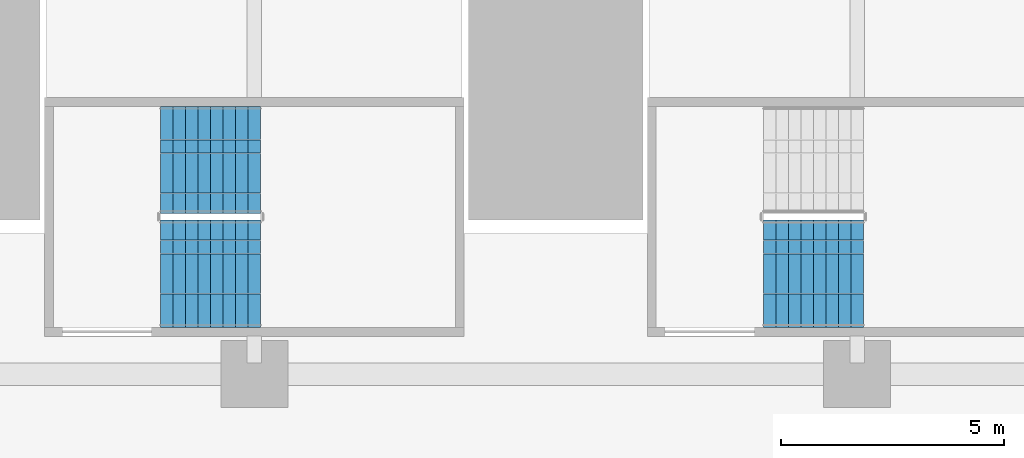
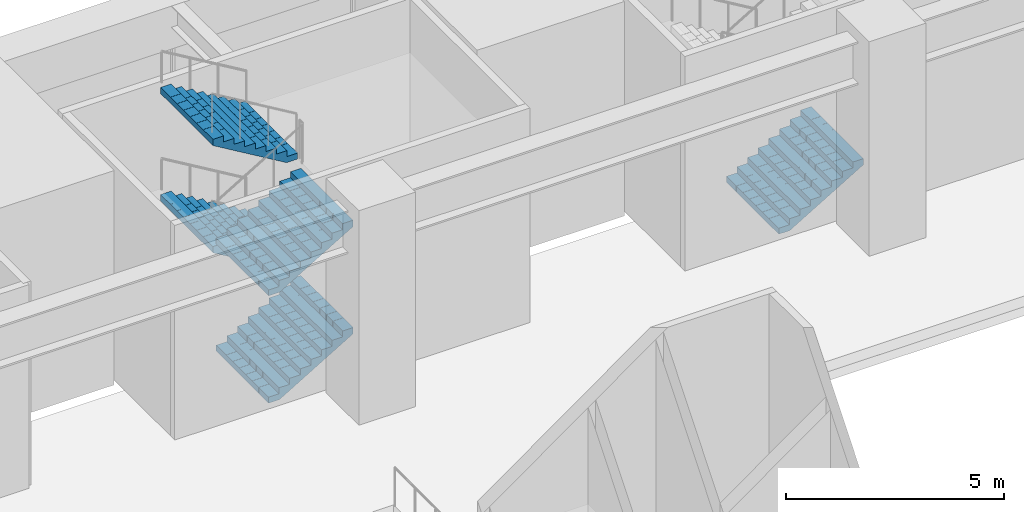
# One storey, part 29 of 41: 5 stair flights, 2 elements without a shape of their own.
"""IFC4 building model written with IfcOpenShell, lengths in metres."""

from ifc_helpers import new_model, si_unit, direction, frame, origin, place, context, subcontext, project, spatial, polyline, outline, extrude, material, type_object, element, aggregate, save


model = new_model("IFC4")

# Units and contexts
model_context = context("Model", 3, precision=1e-05, world=origin(), true_north=direction((0.0, 1.0)))
body_context = subcontext(model_context, "Body", "Model", "MODEL_VIEW")
ifc_project = project(units=[si_unit("LENGTHUNIT", "METRE"), si_unit("AREAUNIT", "SQUARE_METRE"), si_unit("VOLUMEUNIT", "CUBIC_METRE"), si_unit("PLANEANGLEUNIT", "RADIAN"), si_unit("MASSUNIT", "GRAM", prefix="KILO")], contexts=[model_context])

# Site, building, storey
site_placement = place(None, origin())
site = spatial("IfcSite", under=ifc_project, at=site_placement, CompositionType="ELEMENT")
building_placement = place(site_placement, origin())
building = spatial("IfcBuilding", under=site, at=building_placement, Name="Corbelhall Arena Tower", CompositionType="ELEMENT")
storey_placement = place(building_placement, frame((0.0, 0.0, 19.0)))
storey = spatial("IfcBuildingStorey", under=building, at=storey_placement, Name="L02", CompositionType="ELEMENT", Elevation=19.0)

# Stair, stair flights
ifc_material = material(Name="Reinforced concrete C40/50", Category="concrete")
stair_type = type_object("IfcStairType", Name="AR-EXIT-STAIR", PredefinedType="HALF_TURN_STAIR", material=ifc_material)
stair_1_placement = place(storey_placement, origin())
stair_1 = element("IfcStair", 1, at=stair_1_placement, inside=storey, type_object=stair_type, Name="L02 exit stair AS9", PredefinedType="HALF_TURN_STAIR")
stair_flight_type = type_object("IfcStairFlightType", Name="AR-EXIT-FLIGHT", PredefinedType="STRAIGHT", material=ifc_material)
stair_flight_1_placement = place(storey_placement, frame((-22.35009765625, 31.5, 0.0), z_axis=(0.0, 0.0, 1.0), x_axis=(1.0, 0.0, 0.0)))
stair_flight_1 = element("IfcStairFlight", 2, at=stair_flight_1_placement, type_object=stair_flight_type, Name="AS9 flight 1", NumberOfRisers=9, NumberOfTreads=8, PredefinedType="STRAIGHT", RiserHeight=0.166666667, TreadLength=0.28, context=body_context, shape_type="SweptSolid", body=[
    extrude(outline(polyline([(0.0, 0.0), (0.0, 0.166748046875), (0.280029296875, 0.166748046875), (0.280029296875, 0.333251953125), (0.56005859375, 0.333251953125), (0.56005859375, 0.5), (0.840087890625, 0.5), (0.840087890625, 0.666748046875), (1.1201171875, 0.666748046875), (1.1201171875, 0.833251953125), (1.39990234375, 0.833251953125), (1.39990234375, 1.0), (1.679931640625, 1.0), (1.679931640625, 1.166748046875), (1.9599609375, 1.166748046875), (1.9599609375, 1.333251953125), (2.239990234375, 1.333251953125), (2.239990234375, 1.5), (2.239990234375, 1.158935546875), (0.29296875, 0.0), (0.0, 0.0)])), frame((0.0, 1.199951171875, 0.0), z_axis=(0.0, -1.0, 0.0), x_axis=(1.0, 0.0, 0.0)), (0.0, 0.0, 1.0), 0.449951171875),
    extrude(outline(polyline([(0.0, 0.0), (0.0, 0.166748046875), (0.280029296875, 0.166748046875), (0.280029296875, 0.333251953125), (0.56005859375, 0.333251953125), (0.56005859375, 0.5), (0.840087890625, 0.5), (0.840087890625, 0.666748046875), (1.1201171875, 0.666748046875), (1.1201171875, 0.833251953125), (1.39990234375, 0.833251953125), (1.39990234375, 1.0), (1.679931640625, 1.0), (1.679931640625, 1.166748046875), (1.9599609375, 1.166748046875), (1.9599609375, 1.333251953125), (2.239990234375, 1.333251953125), (2.239990234375, 1.5), (2.239990234375, 1.158935546875), (0.29296875, 0.0), (0.0, 0.0)])), frame((0.0, 0.745849609375, 0.0), z_axis=(0.0, -1.0, 0.0), x_axis=(1.0, 0.0, 0.0)), (0.0, 0.0, 1.0), 0.295166015625),
    extrude(outline(polyline([(0.0, 0.0), (0.0, 0.166748046875), (0.280029296875, 0.166748046875), (0.280029296875, 0.333251953125), (0.56005859375, 0.333251953125), (0.56005859375, 0.5), (0.840087890625, 0.5), (0.840087890625, 0.666748046875), (1.1201171875, 0.666748046875), (1.1201171875, 0.833251953125), (1.39990234375, 0.833251953125), (1.39990234375, 1.0), (1.679931640625, 1.0), (1.679931640625, 1.166748046875), (1.9599609375, 1.166748046875), (1.9599609375, 1.333251953125), (2.239990234375, 1.333251953125), (2.239990234375, 1.5), (2.239990234375, 1.158935546875), (0.29296875, 0.0), (0.0, 0.0)])), frame((0.0, 0.44677734375, 0.0), z_axis=(0.0, -1.0, 0.0), x_axis=(1.0, 0.0, 0.0)), (0.0, 0.0, 1.0), 0.295166015625),
    extrude(outline(polyline([(0.0, 0.0), (0.0, 0.166748046875), (0.280029296875, 0.166748046875), (0.280029296875, 0.333251953125), (0.56005859375, 0.333251953125), (0.56005859375, 0.5), (0.840087890625, 0.5), (0.840087890625, 0.666748046875), (1.1201171875, 0.666748046875), (1.1201171875, 0.833251953125), (1.39990234375, 0.833251953125), (1.39990234375, 1.0), (1.679931640625, 1.0), (1.679931640625, 1.166748046875), (1.9599609375, 1.166748046875), (1.9599609375, 1.333251953125), (2.239990234375, 1.333251953125), (2.239990234375, 1.5), (2.239990234375, 1.158935546875), (0.29296875, 0.0), (0.0, 0.0)])), frame((0.0, 0.147705078125, 0.0), z_axis=(0.0, -1.0, 0.0), x_axis=(1.0, 0.0, 0.0)), (0.0, 0.0, 1.0), 0.295166015625),
    extrude(outline(polyline([(0.0, 0.0), (0.0, 0.166748046875), (0.280029296875, 0.166748046875), (0.280029296875, 0.333251953125), (0.56005859375, 0.333251953125), (0.56005859375, 0.5), (0.840087890625, 0.5), (0.840087890625, 0.666748046875), (1.1201171875, 0.666748046875), (1.1201171875, 0.833251953125), (1.39990234375, 0.833251953125), (1.39990234375, 1.0), (1.679931640625, 1.0), (1.679931640625, 1.166748046875), (1.9599609375, 1.166748046875), (1.9599609375, 1.333251953125), (2.239990234375, 1.333251953125), (2.239990234375, 1.5), (2.239990234375, 1.158935546875), (0.29296875, 0.0), (0.0, 0.0)])), frame((0.0, -0.151611328125, 0.0), z_axis=(0.0, -1.0, 0.0), x_axis=(1.0, 0.0, 0.0)), (0.0, 0.0, 1.0), 0.295166015625),
    extrude(outline(polyline([(0.0, 0.0), (0.0, 0.166748046875), (0.280029296875, 0.166748046875), (0.280029296875, 0.333251953125), (0.56005859375, 0.333251953125), (0.56005859375, 0.5), (0.840087890625, 0.5), (0.840087890625, 0.666748046875), (1.1201171875, 0.666748046875), (1.1201171875, 0.833251953125), (1.39990234375, 0.833251953125), (1.39990234375, 1.0), (1.679931640625, 1.0), (1.679931640625, 1.166748046875), (1.9599609375, 1.166748046875), (1.9599609375, 1.333251953125), (2.239990234375, 1.333251953125), (2.239990234375, 1.5), (2.239990234375, 1.158935546875), (0.29296875, 0.0), (0.0, 0.0)])), frame((0.0, -0.45068359375, 0.0), z_axis=(0.0, -1.0, 0.0), x_axis=(1.0, 0.0, 0.0)), (0.0, 0.0, 1.0), 0.295166015625),
    extrude(outline(polyline([(0.0, 0.0), (0.0, 0.166748046875), (0.280029296875, 0.166748046875), (0.280029296875, 0.333251953125), (0.56005859375, 0.333251953125), (0.56005859375, 0.5), (0.840087890625, 0.5), (0.840087890625, 0.666748046875), (1.1201171875, 0.666748046875), (1.1201171875, 0.833251953125), (1.39990234375, 0.833251953125), (1.39990234375, 1.0), (1.679931640625, 1.0), (1.679931640625, 1.166748046875), (1.9599609375, 1.166748046875), (1.9599609375, 1.333251953125), (2.239990234375, 1.333251953125), (2.239990234375, 1.5), (2.239990234375, 1.158935546875), (0.29296875, 0.0), (0.0, 0.0)])), frame((0.0, -0.75, 0.0), z_axis=(0.0, -1.0, 0.0), x_axis=(1.0, 0.0, 0.0)), (0.0, 0.0, 1.0), 0.449951171875),
])
stair_flight_2_placement = place(storey_placement, frame((-20.110107421875, 34.050048828125, 1.5), z_axis=(0.0, 0.0, 1.0), x_axis=(-1.0, 0.0, 0.0)))
stair_flight_2 = element("IfcStairFlight", 3, at=stair_flight_2_placement, type_object=stair_flight_type, Name="AS9 flight 2", NumberOfRisers=9, NumberOfTreads=8, PredefinedType="STRAIGHT", RiserHeight=0.166666667, TreadLength=0.28, context=body_context, shape_type="SweptSolid", body=[
    extrude(outline(polyline([(0.0, 0.0), (0.0, 0.166748046875), (0.280029296875, 0.166748046875), (0.280029296875, 0.333251953125), (0.56005859375, 0.333251953125), (0.56005859375, 0.5), (0.840087890625, 0.5), (0.840087890625, 0.666748046875), (1.1201171875, 0.666748046875), (1.1201171875, 0.833251953125), (1.39990234375, 0.833251953125), (1.39990234375, 1.0), (1.679931640625, 1.0), (1.679931640625, 1.166748046875), (1.9599609375, 1.166748046875), (1.9599609375, 1.333251953125), (2.239990234375, 1.333251953125), (2.239990234375, 1.5), (2.239990234375, 1.158935546875), (0.29296875, 0.0), (0.0, 0.0)])), frame((0.0, 1.199951171875, 0.0), z_axis=(0.0, -1.0, 0.0), x_axis=(1.0, 0.0, 0.0)), (0.0, 0.0, 1.0), 0.449951171875),
    extrude(outline(polyline([(0.0, 0.0), (0.0, 0.166748046875), (0.280029296875, 0.166748046875), (0.280029296875, 0.333251953125), (0.56005859375, 0.333251953125), (0.56005859375, 0.5), (0.840087890625, 0.5), (0.840087890625, 0.666748046875), (1.1201171875, 0.666748046875), (1.1201171875, 0.833251953125), (1.39990234375, 0.833251953125), (1.39990234375, 1.0), (1.679931640625, 1.0), (1.679931640625, 1.166748046875), (1.9599609375, 1.166748046875), (1.9599609375, 1.333251953125), (2.239990234375, 1.333251953125), (2.239990234375, 1.5), (2.239990234375, 1.158935546875), (0.29296875, 0.0), (0.0, 0.0)])), frame((0.0, 0.745849609375, 0.0), z_axis=(0.0, -1.0, 0.0), x_axis=(1.0, 0.0, 0.0)), (0.0, 0.0, 1.0), 0.295166015625),
    extrude(outline(polyline([(0.0, 0.0), (0.0, 0.166748046875), (0.280029296875, 0.166748046875), (0.280029296875, 0.333251953125), (0.56005859375, 0.333251953125), (0.56005859375, 0.5), (0.840087890625, 0.5), (0.840087890625, 0.666748046875), (1.1201171875, 0.666748046875), (1.1201171875, 0.833251953125), (1.39990234375, 0.833251953125), (1.39990234375, 1.0), (1.679931640625, 1.0), (1.679931640625, 1.166748046875), (1.9599609375, 1.166748046875), (1.9599609375, 1.333251953125), (2.239990234375, 1.333251953125), (2.239990234375, 1.5), (2.239990234375, 1.158935546875), (0.29296875, 0.0), (0.0, 0.0)])), frame((0.0, 0.44677734375, 0.0), z_axis=(0.0, -1.0, 0.0), x_axis=(1.0, 0.0, 0.0)), (0.0, 0.0, 1.0), 0.295166015625),
    extrude(outline(polyline([(0.0, 0.0), (0.0, 0.166748046875), (0.280029296875, 0.166748046875), (0.280029296875, 0.333251953125), (0.56005859375, 0.333251953125), (0.56005859375, 0.5), (0.840087890625, 0.5), (0.840087890625, 0.666748046875), (1.1201171875, 0.666748046875), (1.1201171875, 0.833251953125), (1.39990234375, 0.833251953125), (1.39990234375, 1.0), (1.679931640625, 1.0), (1.679931640625, 1.166748046875), (1.9599609375, 1.166748046875), (1.9599609375, 1.333251953125), (2.239990234375, 1.333251953125), (2.239990234375, 1.5), (2.239990234375, 1.158935546875), (0.29296875, 0.0), (0.0, 0.0)])), frame((0.0, 0.147705078125, 0.0), z_axis=(0.0, -1.0, 0.0), x_axis=(1.0, 0.0, 0.0)), (0.0, 0.0, 1.0), 0.295166015625),
    extrude(outline(polyline([(0.0, 0.0), (0.0, 0.166748046875), (0.280029296875, 0.166748046875), (0.280029296875, 0.333251953125), (0.56005859375, 0.333251953125), (0.56005859375, 0.5), (0.840087890625, 0.5), (0.840087890625, 0.666748046875), (1.1201171875, 0.666748046875), (1.1201171875, 0.833251953125), (1.39990234375, 0.833251953125), (1.39990234375, 1.0), (1.679931640625, 1.0), (1.679931640625, 1.166748046875), (1.9599609375, 1.166748046875), (1.9599609375, 1.333251953125), (2.239990234375, 1.333251953125), (2.239990234375, 1.5), (2.239990234375, 1.158935546875), (0.29296875, 0.0), (0.0, 0.0)])), frame((0.0, -0.151611328125, 0.0), z_axis=(0.0, -1.0, 0.0), x_axis=(1.0, 0.0, 0.0)), (0.0, 0.0, 1.0), 0.295166015625),
    extrude(outline(polyline([(0.0, 0.0), (0.0, 0.166748046875), (0.280029296875, 0.166748046875), (0.280029296875, 0.333251953125), (0.56005859375, 0.333251953125), (0.56005859375, 0.5), (0.840087890625, 0.5), (0.840087890625, 0.666748046875), (1.1201171875, 0.666748046875), (1.1201171875, 0.833251953125), (1.39990234375, 0.833251953125), (1.39990234375, 1.0), (1.679931640625, 1.0), (1.679931640625, 1.166748046875), (1.9599609375, 1.166748046875), (1.9599609375, 1.333251953125), (2.239990234375, 1.333251953125), (2.239990234375, 1.5), (2.239990234375, 1.158935546875), (0.29296875, 0.0), (0.0, 0.0)])), frame((0.0, -0.45068359375, 0.0), z_axis=(0.0, -1.0, 0.0), x_axis=(1.0, 0.0, 0.0)), (0.0, 0.0, 1.0), 0.295166015625),
    extrude(outline(polyline([(0.0, 0.0), (0.0, 0.166748046875), (0.280029296875, 0.166748046875), (0.280029296875, 0.333251953125), (0.56005859375, 0.333251953125), (0.56005859375, 0.5), (0.840087890625, 0.5), (0.840087890625, 0.666748046875), (1.1201171875, 0.666748046875), (1.1201171875, 0.833251953125), (1.39990234375, 0.833251953125), (1.39990234375, 1.0), (1.679931640625, 1.0), (1.679931640625, 1.166748046875), (1.9599609375, 1.166748046875), (1.9599609375, 1.333251953125), (2.239990234375, 1.333251953125), (2.239990234375, 1.5), (2.239990234375, 1.158935546875), (0.29296875, 0.0), (0.0, 0.0)])), frame((0.0, -0.75, 0.0), z_axis=(0.0, -1.0, 0.0), x_axis=(1.0, 0.0, 0.0)), (0.0, 0.0, 1.0), 0.449951171875),
])
stair_flight_3_placement = place(storey_placement, frame((-22.35009765625, 31.5, 3.0), z_axis=(0.0, 0.0, 1.0), x_axis=(1.0, 0.0, 0.0)))
stair_flight_3 = element("IfcStairFlight", 4, at=stair_flight_3_placement, type_object=stair_flight_type, Name="AS9 flight 3", NumberOfRisers=9, NumberOfTreads=8, PredefinedType="STRAIGHT", RiserHeight=0.166666667, TreadLength=0.28, context=body_context, shape_type="SweptSolid", body=[
    extrude(outline(polyline([(0.0, 0.0), (0.0, 0.166748046875), (0.280029296875, 0.166748046875), (0.280029296875, 0.333251953125), (0.56005859375, 0.333251953125), (0.56005859375, 0.5), (0.840087890625, 0.5), (0.840087890625, 0.666748046875), (1.1201171875, 0.666748046875), (1.1201171875, 0.833251953125), (1.39990234375, 0.833251953125), (1.39990234375, 1.0), (1.679931640625, 1.0), (1.679931640625, 1.166748046875), (1.9599609375, 1.166748046875), (1.9599609375, 1.333251953125), (2.239990234375, 1.333251953125), (2.239990234375, 1.5), (2.239990234375, 1.158935546875), (0.29296875, 0.0), (0.0, 0.0)])), frame((0.0, 1.199951171875, 0.0), z_axis=(0.0, -1.0, 0.0), x_axis=(1.0, 0.0, 0.0)), (0.0, 0.0, 1.0), 0.449951171875),
    extrude(outline(polyline([(0.0, 0.0), (0.0, 0.166748046875), (0.280029296875, 0.166748046875), (0.280029296875, 0.333251953125), (0.56005859375, 0.333251953125), (0.56005859375, 0.5), (0.840087890625, 0.5), (0.840087890625, 0.666748046875), (1.1201171875, 0.666748046875), (1.1201171875, 0.833251953125), (1.39990234375, 0.833251953125), (1.39990234375, 1.0), (1.679931640625, 1.0), (1.679931640625, 1.166748046875), (1.9599609375, 1.166748046875), (1.9599609375, 1.333251953125), (2.239990234375, 1.333251953125), (2.239990234375, 1.5), (2.239990234375, 1.158935546875), (0.29296875, 0.0), (0.0, 0.0)])), frame((0.0, 0.745849609375, 0.0), z_axis=(0.0, -1.0, 0.0), x_axis=(1.0, 0.0, 0.0)), (0.0, 0.0, 1.0), 0.295166015625),
    extrude(outline(polyline([(0.0, 0.0), (0.0, 0.166748046875), (0.280029296875, 0.166748046875), (0.280029296875, 0.333251953125), (0.56005859375, 0.333251953125), (0.56005859375, 0.5), (0.840087890625, 0.5), (0.840087890625, 0.666748046875), (1.1201171875, 0.666748046875), (1.1201171875, 0.833251953125), (1.39990234375, 0.833251953125), (1.39990234375, 1.0), (1.679931640625, 1.0), (1.679931640625, 1.166748046875), (1.9599609375, 1.166748046875), (1.9599609375, 1.333251953125), (2.239990234375, 1.333251953125), (2.239990234375, 1.5), (2.239990234375, 1.158935546875), (0.29296875, 0.0), (0.0, 0.0)])), frame((0.0, 0.44677734375, 0.0), z_axis=(0.0, -1.0, 0.0), x_axis=(1.0, 0.0, 0.0)), (0.0, 0.0, 1.0), 0.295166015625),
    extrude(outline(polyline([(0.0, 0.0), (0.0, 0.166748046875), (0.280029296875, 0.166748046875), (0.280029296875, 0.333251953125), (0.56005859375, 0.333251953125), (0.56005859375, 0.5), (0.840087890625, 0.5), (0.840087890625, 0.666748046875), (1.1201171875, 0.666748046875), (1.1201171875, 0.833251953125), (1.39990234375, 0.833251953125), (1.39990234375, 1.0), (1.679931640625, 1.0), (1.679931640625, 1.166748046875), (1.9599609375, 1.166748046875), (1.9599609375, 1.333251953125), (2.239990234375, 1.333251953125), (2.239990234375, 1.5), (2.239990234375, 1.158935546875), (0.29296875, 0.0), (0.0, 0.0)])), frame((0.0, 0.147705078125, 0.0), z_axis=(0.0, -1.0, 0.0), x_axis=(1.0, 0.0, 0.0)), (0.0, 0.0, 1.0), 0.295166015625),
    extrude(outline(polyline([(0.0, 0.0), (0.0, 0.166748046875), (0.280029296875, 0.166748046875), (0.280029296875, 0.333251953125), (0.56005859375, 0.333251953125), (0.56005859375, 0.5), (0.840087890625, 0.5), (0.840087890625, 0.666748046875), (1.1201171875, 0.666748046875), (1.1201171875, 0.833251953125), (1.39990234375, 0.833251953125), (1.39990234375, 1.0), (1.679931640625, 1.0), (1.679931640625, 1.166748046875), (1.9599609375, 1.166748046875), (1.9599609375, 1.333251953125), (2.239990234375, 1.333251953125), (2.239990234375, 1.5), (2.239990234375, 1.158935546875), (0.29296875, 0.0), (0.0, 0.0)])), frame((0.0, -0.151611328125, 0.0), z_axis=(0.0, -1.0, 0.0), x_axis=(1.0, 0.0, 0.0)), (0.0, 0.0, 1.0), 0.295166015625),
    extrude(outline(polyline([(0.0, 0.0), (0.0, 0.166748046875), (0.280029296875, 0.166748046875), (0.280029296875, 0.333251953125), (0.56005859375, 0.333251953125), (0.56005859375, 0.5), (0.840087890625, 0.5), (0.840087890625, 0.666748046875), (1.1201171875, 0.666748046875), (1.1201171875, 0.833251953125), (1.39990234375, 0.833251953125), (1.39990234375, 1.0), (1.679931640625, 1.0), (1.679931640625, 1.166748046875), (1.9599609375, 1.166748046875), (1.9599609375, 1.333251953125), (2.239990234375, 1.333251953125), (2.239990234375, 1.5), (2.239990234375, 1.158935546875), (0.29296875, 0.0), (0.0, 0.0)])), frame((0.0, -0.45068359375, 0.0), z_axis=(0.0, -1.0, 0.0), x_axis=(1.0, 0.0, 0.0)), (0.0, 0.0, 1.0), 0.295166015625),
    extrude(outline(polyline([(0.0, 0.0), (0.0, 0.166748046875), (0.280029296875, 0.166748046875), (0.280029296875, 0.333251953125), (0.56005859375, 0.333251953125), (0.56005859375, 0.5), (0.840087890625, 0.5), (0.840087890625, 0.666748046875), (1.1201171875, 0.666748046875), (1.1201171875, 0.833251953125), (1.39990234375, 0.833251953125), (1.39990234375, 1.0), (1.679931640625, 1.0), (1.679931640625, 1.166748046875), (1.9599609375, 1.166748046875), (1.9599609375, 1.333251953125), (2.239990234375, 1.333251953125), (2.239990234375, 1.5), (2.239990234375, 1.158935546875), (0.29296875, 0.0), (0.0, 0.0)])), frame((0.0, -0.75, 0.0), z_axis=(0.0, -1.0, 0.0), x_axis=(1.0, 0.0, 0.0)), (0.0, 0.0, 1.0), 0.449951171875),
])
stair_flight_4_placement = place(storey_placement, frame((-20.110107421875, 34.050048828125, 4.5), z_axis=(0.0, 0.0, 1.0), x_axis=(-1.0, 0.0, 0.0)))
stair_flight_4 = element("IfcStairFlight", 5, at=stair_flight_4_placement, type_object=stair_flight_type, Name="AS9 flight 4", NumberOfRisers=9, NumberOfTreads=8, PredefinedType="STRAIGHT", RiserHeight=0.166666667, TreadLength=0.28, context=body_context, shape_type="SweptSolid", body=[
    extrude(outline(polyline([(0.0, 0.0), (0.0, 0.166748046875), (0.280029296875, 0.166748046875), (0.280029296875, 0.333251953125), (0.56005859375, 0.333251953125), (0.56005859375, 0.5), (0.840087890625, 0.5), (0.840087890625, 0.666748046875), (1.1201171875, 0.666748046875), (1.1201171875, 0.833251953125), (1.39990234375, 0.833251953125), (1.39990234375, 1.0), (1.679931640625, 1.0), (1.679931640625, 1.166748046875), (1.9599609375, 1.166748046875), (1.9599609375, 1.333251953125), (2.239990234375, 1.333251953125), (2.239990234375, 1.5), (2.239990234375, 1.158935546875), (0.29296875, 0.0), (0.0, 0.0)])), frame((0.0, 1.199951171875, 0.0), z_axis=(0.0, -1.0, 0.0), x_axis=(1.0, 0.0, 0.0)), (0.0, 0.0, 1.0), 0.449951171875),
    extrude(outline(polyline([(0.0, 0.0), (0.0, 0.166748046875), (0.280029296875, 0.166748046875), (0.280029296875, 0.333251953125), (0.56005859375, 0.333251953125), (0.56005859375, 0.5), (0.840087890625, 0.5), (0.840087890625, 0.666748046875), (1.1201171875, 0.666748046875), (1.1201171875, 0.833251953125), (1.39990234375, 0.833251953125), (1.39990234375, 1.0), (1.679931640625, 1.0), (1.679931640625, 1.166748046875), (1.9599609375, 1.166748046875), (1.9599609375, 1.333251953125), (2.239990234375, 1.333251953125), (2.239990234375, 1.5), (2.239990234375, 1.158935546875), (0.29296875, 0.0), (0.0, 0.0)])), frame((0.0, 0.745849609375, 0.0), z_axis=(0.0, -1.0, 0.0), x_axis=(1.0, 0.0, 0.0)), (0.0, 0.0, 1.0), 0.295166015625),
    extrude(outline(polyline([(0.0, 0.0), (0.0, 0.166748046875), (0.280029296875, 0.166748046875), (0.280029296875, 0.333251953125), (0.56005859375, 0.333251953125), (0.56005859375, 0.5), (0.840087890625, 0.5), (0.840087890625, 0.666748046875), (1.1201171875, 0.666748046875), (1.1201171875, 0.833251953125), (1.39990234375, 0.833251953125), (1.39990234375, 1.0), (1.679931640625, 1.0), (1.679931640625, 1.166748046875), (1.9599609375, 1.166748046875), (1.9599609375, 1.333251953125), (2.239990234375, 1.333251953125), (2.239990234375, 1.5), (2.239990234375, 1.158935546875), (0.29296875, 0.0), (0.0, 0.0)])), frame((0.0, 0.44677734375, 0.0), z_axis=(0.0, -1.0, 0.0), x_axis=(1.0, 0.0, 0.0)), (0.0, 0.0, 1.0), 0.295166015625),
    extrude(outline(polyline([(0.0, 0.0), (0.0, 0.166748046875), (0.280029296875, 0.166748046875), (0.280029296875, 0.333251953125), (0.56005859375, 0.333251953125), (0.56005859375, 0.5), (0.840087890625, 0.5), (0.840087890625, 0.666748046875), (1.1201171875, 0.666748046875), (1.1201171875, 0.833251953125), (1.39990234375, 0.833251953125), (1.39990234375, 1.0), (1.679931640625, 1.0), (1.679931640625, 1.166748046875), (1.9599609375, 1.166748046875), (1.9599609375, 1.333251953125), (2.239990234375, 1.333251953125), (2.239990234375, 1.5), (2.239990234375, 1.158935546875), (0.29296875, 0.0), (0.0, 0.0)])), frame((0.0, 0.147705078125, 0.0), z_axis=(0.0, -1.0, 0.0), x_axis=(1.0, 0.0, 0.0)), (0.0, 0.0, 1.0), 0.295166015625),
    extrude(outline(polyline([(0.0, 0.0), (0.0, 0.166748046875), (0.280029296875, 0.166748046875), (0.280029296875, 0.333251953125), (0.56005859375, 0.333251953125), (0.56005859375, 0.5), (0.840087890625, 0.5), (0.840087890625, 0.666748046875), (1.1201171875, 0.666748046875), (1.1201171875, 0.833251953125), (1.39990234375, 0.833251953125), (1.39990234375, 1.0), (1.679931640625, 1.0), (1.679931640625, 1.166748046875), (1.9599609375, 1.166748046875), (1.9599609375, 1.333251953125), (2.239990234375, 1.333251953125), (2.239990234375, 1.5), (2.239990234375, 1.158935546875), (0.29296875, 0.0), (0.0, 0.0)])), frame((0.0, -0.151611328125, 0.0), z_axis=(0.0, -1.0, 0.0), x_axis=(1.0, 0.0, 0.0)), (0.0, 0.0, 1.0), 0.295166015625),
    extrude(outline(polyline([(0.0, 0.0), (0.0, 0.166748046875), (0.280029296875, 0.166748046875), (0.280029296875, 0.333251953125), (0.56005859375, 0.333251953125), (0.56005859375, 0.5), (0.840087890625, 0.5), (0.840087890625, 0.666748046875), (1.1201171875, 0.666748046875), (1.1201171875, 0.833251953125), (1.39990234375, 0.833251953125), (1.39990234375, 1.0), (1.679931640625, 1.0), (1.679931640625, 1.166748046875), (1.9599609375, 1.166748046875), (1.9599609375, 1.333251953125), (2.239990234375, 1.333251953125), (2.239990234375, 1.5), (2.239990234375, 1.158935546875), (0.29296875, 0.0), (0.0, 0.0)])), frame((0.0, -0.45068359375, 0.0), z_axis=(0.0, -1.0, 0.0), x_axis=(1.0, 0.0, 0.0)), (0.0, 0.0, 1.0), 0.295166015625),
    extrude(outline(polyline([(0.0, 0.0), (0.0, 0.166748046875), (0.280029296875, 0.166748046875), (0.280029296875, 0.333251953125), (0.56005859375, 0.333251953125), (0.56005859375, 0.5), (0.840087890625, 0.5), (0.840087890625, 0.666748046875), (1.1201171875, 0.666748046875), (1.1201171875, 0.833251953125), (1.39990234375, 0.833251953125), (1.39990234375, 1.0), (1.679931640625, 1.0), (1.679931640625, 1.166748046875), (1.9599609375, 1.166748046875), (1.9599609375, 1.333251953125), (2.239990234375, 1.333251953125), (2.239990234375, 1.5), (2.239990234375, 1.158935546875), (0.29296875, 0.0), (0.0, 0.0)])), frame((0.0, -0.75, 0.0), z_axis=(0.0, -1.0, 0.0), x_axis=(1.0, 0.0, 0.0)), (0.0, 0.0, 1.0), 0.449951171875),
])
aggregate(stair_1, [stair_flight_1, stair_flight_2, stair_flight_3, stair_flight_4])

# Stair, stair flight
stair_2_placement = place(storey_placement, origin())
stair_2 = element("IfcStair", 6, at=stair_2_placement, inside=storey, type_object=stair_type, Name="L02 exit stair AS10", PredefinedType="HALF_TURN_STAIR")
stair_flight_5_placement = place(storey_placement, frame((-8.85009765625, 31.5, 0.0), z_axis=(0.0, 0.0, 1.0), x_axis=(1.0, 0.0, 0.0)))
stair_flight_5 = element("IfcStairFlight", 7, at=stair_flight_5_placement, type_object=stair_flight_type, Name="AS10 flight 1", NumberOfRisers=9, NumberOfTreads=8, PredefinedType="STRAIGHT", RiserHeight=0.166666667, TreadLength=0.28, context=body_context, shape_type="SweptSolid", body=[
    extrude(outline(polyline([(0.0, 0.0), (0.0, 0.166748046875), (0.280029296875, 0.166748046875), (0.280029296875, 0.333251953125), (0.56005859375, 0.333251953125), (0.56005859375, 0.5), (0.840087890625, 0.5), (0.840087890625, 0.666748046875), (1.1201171875, 0.666748046875), (1.1201171875, 0.833251953125), (1.39990234375, 0.833251953125), (1.39990234375, 1.0), (1.679931640625, 1.0), (1.679931640625, 1.166748046875), (1.9599609375, 1.166748046875), (1.9599609375, 1.333251953125), (2.239990234375, 1.333251953125), (2.239990234375, 1.5), (2.239990234375, 1.158935546875), (0.29296875, 0.0), (0.0, 0.0)])), frame((0.0, 1.199951171875, 0.0), z_axis=(0.0, -1.0, 0.0), x_axis=(1.0, 0.0, 0.0)), (0.0, 0.0, 1.0), 0.449951171875),
    extrude(outline(polyline([(0.0, 0.0), (0.0, 0.166748046875), (0.280029296875, 0.166748046875), (0.280029296875, 0.333251953125), (0.56005859375, 0.333251953125), (0.56005859375, 0.5), (0.840087890625, 0.5), (0.840087890625, 0.666748046875), (1.1201171875, 0.666748046875), (1.1201171875, 0.833251953125), (1.39990234375, 0.833251953125), (1.39990234375, 1.0), (1.679931640625, 1.0), (1.679931640625, 1.166748046875), (1.9599609375, 1.166748046875), (1.9599609375, 1.333251953125), (2.239990234375, 1.333251953125), (2.239990234375, 1.5), (2.239990234375, 1.158935546875), (0.29296875, 0.0), (0.0, 0.0)])), frame((0.0, 0.745849609375, 0.0), z_axis=(0.0, -1.0, 0.0), x_axis=(1.0, 0.0, 0.0)), (0.0, 0.0, 1.0), 0.295166015625),
    extrude(outline(polyline([(0.0, 0.0), (0.0, 0.166748046875), (0.280029296875, 0.166748046875), (0.280029296875, 0.333251953125), (0.56005859375, 0.333251953125), (0.56005859375, 0.5), (0.840087890625, 0.5), (0.840087890625, 0.666748046875), (1.1201171875, 0.666748046875), (1.1201171875, 0.833251953125), (1.39990234375, 0.833251953125), (1.39990234375, 1.0), (1.679931640625, 1.0), (1.679931640625, 1.166748046875), (1.9599609375, 1.166748046875), (1.9599609375, 1.333251953125), (2.239990234375, 1.333251953125), (2.239990234375, 1.5), (2.239990234375, 1.158935546875), (0.29296875, 0.0), (0.0, 0.0)])), frame((0.0, 0.44677734375, 0.0), z_axis=(0.0, -1.0, 0.0), x_axis=(1.0, 0.0, 0.0)), (0.0, 0.0, 1.0), 0.295166015625),
    extrude(outline(polyline([(0.0, 0.0), (0.0, 0.166748046875), (0.280029296875, 0.166748046875), (0.280029296875, 0.333251953125), (0.56005859375, 0.333251953125), (0.56005859375, 0.5), (0.840087890625, 0.5), (0.840087890625, 0.666748046875), (1.1201171875, 0.666748046875), (1.1201171875, 0.833251953125), (1.39990234375, 0.833251953125), (1.39990234375, 1.0), (1.679931640625, 1.0), (1.679931640625, 1.166748046875), (1.9599609375, 1.166748046875), (1.9599609375, 1.333251953125), (2.239990234375, 1.333251953125), (2.239990234375, 1.5), (2.239990234375, 1.158935546875), (0.29296875, 0.0), (0.0, 0.0)])), frame((0.0, 0.147705078125, 0.0), z_axis=(0.0, -1.0, 0.0), x_axis=(1.0, 0.0, 0.0)), (0.0, 0.0, 1.0), 0.295166015625),
    extrude(outline(polyline([(0.0, 0.0), (0.0, 0.166748046875), (0.280029296875, 0.166748046875), (0.280029296875, 0.333251953125), (0.56005859375, 0.333251953125), (0.56005859375, 0.5), (0.840087890625, 0.5), (0.840087890625, 0.666748046875), (1.1201171875, 0.666748046875), (1.1201171875, 0.833251953125), (1.39990234375, 0.833251953125), (1.39990234375, 1.0), (1.679931640625, 1.0), (1.679931640625, 1.166748046875), (1.9599609375, 1.166748046875), (1.9599609375, 1.333251953125), (2.239990234375, 1.333251953125), (2.239990234375, 1.5), (2.239990234375, 1.158935546875), (0.29296875, 0.0), (0.0, 0.0)])), frame((0.0, -0.151611328125, 0.0), z_axis=(0.0, -1.0, 0.0), x_axis=(1.0, 0.0, 0.0)), (0.0, 0.0, 1.0), 0.295166015625),
    extrude(outline(polyline([(0.0, 0.0), (0.0, 0.166748046875), (0.280029296875, 0.166748046875), (0.280029296875, 0.333251953125), (0.56005859375, 0.333251953125), (0.56005859375, 0.5), (0.840087890625, 0.5), (0.840087890625, 0.666748046875), (1.1201171875, 0.666748046875), (1.1201171875, 0.833251953125), (1.39990234375, 0.833251953125), (1.39990234375, 1.0), (1.679931640625, 1.0), (1.679931640625, 1.166748046875), (1.9599609375, 1.166748046875), (1.9599609375, 1.333251953125), (2.239990234375, 1.333251953125), (2.239990234375, 1.5), (2.239990234375, 1.158935546875), (0.29296875, 0.0), (0.0, 0.0)])), frame((0.0, -0.45068359375, 0.0), z_axis=(0.0, -1.0, 0.0), x_axis=(1.0, 0.0, 0.0)), (0.0, 0.0, 1.0), 0.295166015625),
    extrude(outline(polyline([(0.0, 0.0), (0.0, 0.166748046875), (0.280029296875, 0.166748046875), (0.280029296875, 0.333251953125), (0.56005859375, 0.333251953125), (0.56005859375, 0.5), (0.840087890625, 0.5), (0.840087890625, 0.666748046875), (1.1201171875, 0.666748046875), (1.1201171875, 0.833251953125), (1.39990234375, 0.833251953125), (1.39990234375, 1.0), (1.679931640625, 1.0), (1.679931640625, 1.166748046875), (1.9599609375, 1.166748046875), (1.9599609375, 1.333251953125), (2.239990234375, 1.333251953125), (2.239990234375, 1.5), (2.239990234375, 1.158935546875), (0.29296875, 0.0), (0.0, 0.0)])), frame((0.0, -0.75, 0.0), z_axis=(0.0, -1.0, 0.0), x_axis=(1.0, 0.0, 0.0)), (0.0, 0.0, 1.0), 0.449951171875),
])
aggregate(stair_2, [stair_flight_5])

save(model, "model.ifc")
